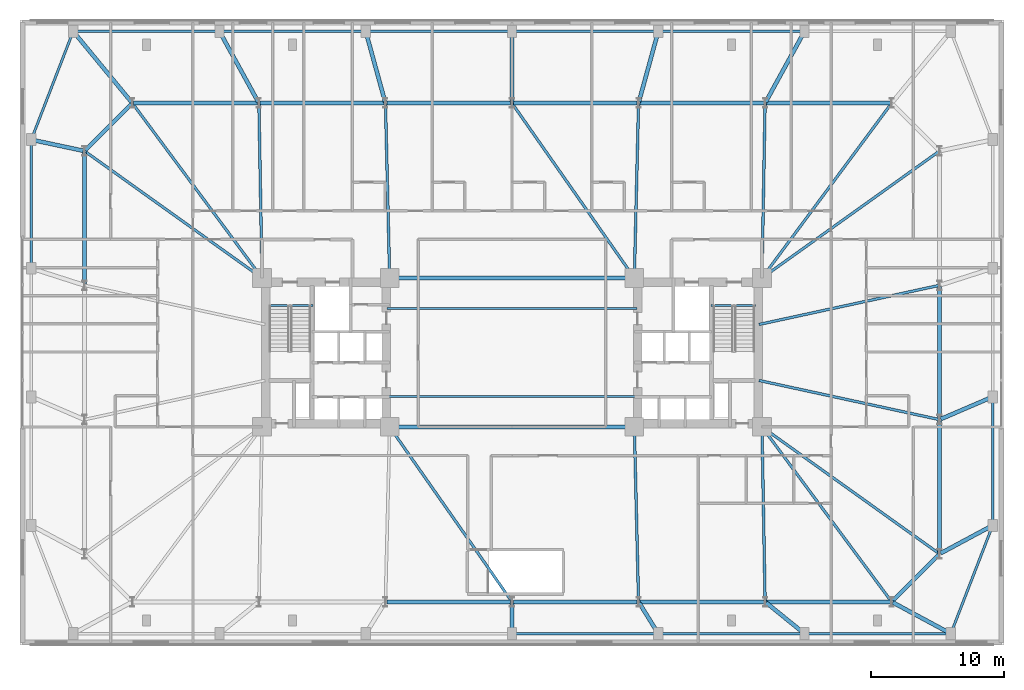
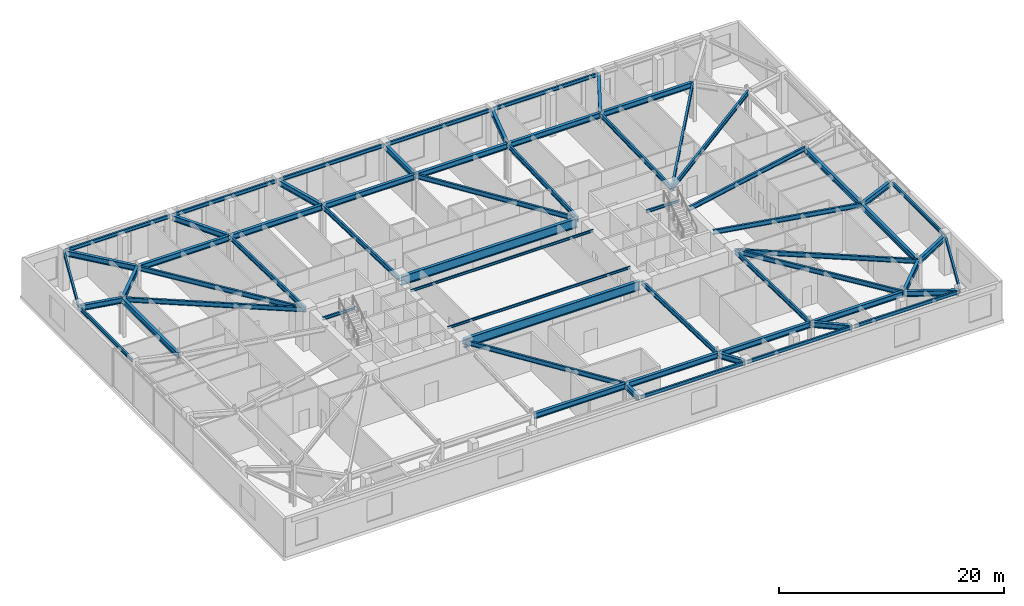
# One storey, part 8 of 21: 62 beams.
"""IFC4 building model written with IfcOpenShell, lengths in metres."""

from ifc_helpers import new_model, si_unit, direction, frame, origin, origin_2d, place, context, subcontext, project, spatial, i_section, extrude, material, material_profile, profile_set, type_object, element, save


model = new_model("IFC4")

# Units and contexts
model_context = context("Model", 3, precision=1e-05, world=origin(), true_north=direction((0.0, 1.0)))
body_context = subcontext(model_context, "Body", "Model", "MODEL_VIEW")
ifc_project = project(units=[si_unit("LENGTHUNIT", "METRE"), si_unit("AREAUNIT", "SQUARE_METRE"), si_unit("VOLUMEUNIT", "CUBIC_METRE"), si_unit("PLANEANGLEUNIT", "RADIAN"), si_unit("MASSUNIT", "GRAM", prefix="KILO")], contexts=[model_context])

# Site, building, storey
site_placement = place(None, origin())
site = spatial("IfcSite", under=ifc_project, at=site_placement, CompositionType="ELEMENT")
building_placement = place(site_placement, origin())
building = spatial("IfcBuilding", under=site, at=building_placement, Name="Qobustan Lattice House", CompositionType="ELEMENT")
storey_placement = place(building_placement, frame((0.0, 0.0, 22.5)))
storey = spatial("IfcBuildingStorey", under=building, at=storey_placement, Name="L05", CompositionType="ELEMENT", Elevation=22.5)

# Beams
ifc_material_1 = material(Name="Steel S355", Category="steel")
ifc_material_profile_1 = material_profile(ifc_material_1, i_section(OverallWidth=0.199951171875, OverallDepth=0.5, WebThickness=0.01025390625, FlangeThickness=0.01611328125, FilletRadius=0.02099609375, at=origin_2d()), Name="IPE500")
ifc_profile_set_1 = profile_set([ifc_material_profile_1], Name="Steel S355")
beam_type_1 = type_object("IfcBeamType", Name="BM-FLG-IPE500", PredefinedType="USERDEFINED", material=ifc_profile_set_1)
beam_1_placement = place(storey_placement, frame((-0.014404296875, -18.7294921875, 3.909912109375), z_axis=(-0.57325954206, 0.819373844736, 0.0), x_axis=(-0.819373844736, -0.57325954206, 0.0)))
element("IfcBeam", 1, at=beam_1_placement, inside=storey, type_object=beam_type_1, Name="L05 primary floor girder RAD-S4", ObjectType="GIRDER", PredefinedType="USERDEFINED", context=body_context, shape_type="SweptSolid", body=[
    extrude(i_section(OverallWidth=0.199951171875, OverallDepth=0.5, WebThickness=0.01025390625, FlangeThickness=0.01611328125, FilletRadius=0.02099609375, at=origin_2d()), origin(), (0.0, 0.0, 1.0), 15.998779296875),
])
beam_2_placement = place(storey_placement, frame((9.51611328125, -18.72509765625, 3.909912109375), z_axis=(-0.024071445657, 0.999710240772, 0.0), x_axis=(-0.999710240772, -0.024071445657, 0.0)))
element("IfcBeam", 2, at=beam_2_placement, inside=storey, type_object=beam_type_1, Name="L05 primary floor girder RAD-S5", ObjectType="GIRDER", PredefinedType="USERDEFINED", context=body_context, shape_type="SweptSolid", body=[
    extrude(i_section(OverallWidth=0.199951171875, OverallDepth=0.5, WebThickness=0.01025390625, FlangeThickness=0.01611328125, FilletRadius=0.02099609375, at=origin_2d()), origin(), (0.0, 0.0, 1.0), 13.10400390625),
])
beam_3_placement = place(storey_placement, frame((19.032958984375, -18.72509765625, 3.909912109375), z_axis=(-0.017757831607, 0.999842317276, 0.0), x_axis=(-0.999842317276, -0.017757831607, 0.0)))
element("IfcBeam", 3, at=beam_3_placement, inside=storey, type_object=beam_type_1, Name="L05 primary floor girder RAD-S6", ObjectType="GIRDER", PredefinedType="USERDEFINED", context=body_context, shape_type="SweptSolid", body=[
    extrude(i_section(OverallWidth=0.199951171875, OverallDepth=0.5, WebThickness=0.01025390625, FlangeThickness=0.01611328125, FilletRadius=0.02099609375, at=origin_2d()), origin(), (0.0, 0.0, 1.0), 13.10205078125),
])
for number, where, z_axis, x_axis, name in (
    (4, (28.53515625, -18.72998046875, 3.909912109375), (-0.5955916815, 0.803287338956, 0.0), (-0.803287338956, -0.5955916815, 0.0), "L05 primary floor girder RAD-S7E"),
    (5, (-28.53515625, 18.72998046875, 3.909912109375), (0.5955916815, -0.803287338956, 0.0), (0.803287338956, 0.5955916815, 0.0), "L05 primary floor girder RAD-N7W"),
):
    element("IfcBeam", number, at=place(storey_placement, frame(where, z_axis=z_axis, x_axis=x_axis)), inside=storey, type_object=beam_type_1, Name=name, ObjectType="GIRDER", PredefinedType="USERDEFINED", context=body_context, shape_type="SweptSolid", body=[
        extrude(i_section(OverallWidth=0.199951171875, OverallDepth=0.5, WebThickness=0.01025390625, FlangeThickness=0.01611328125, FilletRadius=0.02099609375, at=origin_2d()), origin(), (0.0, 0.0, 1.0), 16.3203125),
    ])
beam_4_placement = place(storey_placement, frame((-19.032958984375, 18.72509765625, 3.909912109375), z_axis=(0.017757831607, -0.999842317276, 0.0), x_axis=(0.999842317276, 0.017757831607, 0.0)))
element("IfcBeam", 6, at=beam_4_placement, inside=storey, type_object=beam_type_1, Name="L05 primary floor girder RAD-N6", ObjectType="GIRDER", PredefinedType="USERDEFINED", context=body_context, shape_type="SweptSolid", body=[
    extrude(i_section(OverallWidth=0.199951171875, OverallDepth=0.5, WebThickness=0.01025390625, FlangeThickness=0.01611328125, FilletRadius=0.02099609375, at=origin_2d()), origin(), (0.0, 0.0, 1.0), 13.10205078125),
])
beam_5_placement = place(storey_placement, frame((-9.51611328125, 18.72509765625, 3.909912109375), z_axis=(0.024071445657, -0.999710240772, 0.0), x_axis=(0.999710240772, 0.024071445657, 0.0)))
element("IfcBeam", 7, at=beam_5_placement, inside=storey, type_object=beam_type_1, Name="L05 primary floor girder RAD-N5", ObjectType="GIRDER", PredefinedType="USERDEFINED", context=body_context, shape_type="SweptSolid", body=[
    extrude(i_section(OverallWidth=0.199951171875, OverallDepth=0.5, WebThickness=0.01025390625, FlangeThickness=0.01611328125, FilletRadius=0.02099609375, at=origin_2d()), origin(), (0.0, 0.0, 1.0), 13.10400390625),
])
beam_6_placement = place(storey_placement, frame((0.014404296875, 18.7294921875, 3.909912109375), z_axis=(0.57325954206, -0.819373844736, 0.0), x_axis=(0.819373844736, 0.57325954206, 0.0)))
element("IfcBeam", 8, at=beam_6_placement, inside=storey, type_object=beam_type_1, Name="L05 primary floor girder RAD-N4", ObjectType="GIRDER", PredefinedType="USERDEFINED", context=body_context, shape_type="SweptSolid", body=[
    extrude(i_section(OverallWidth=0.199951171875, OverallDepth=0.5, WebThickness=0.01025390625, FlangeThickness=0.01611328125, FilletRadius=0.02099609375, at=origin_2d()), origin(), (0.0, 0.0, 1.0), 15.998779296875),
])
beam_7_placement = place(storey_placement, frame((9.51611328125, 18.72509765625, 3.909912109375), z_axis=(-0.024071445657, -0.999710240772, 0.0), x_axis=(0.999710240772, -0.024071445657, 0.0)))
element("IfcBeam", 9, at=beam_7_placement, inside=storey, type_object=beam_type_1, Name="L05 primary floor girder RAD-N3", ObjectType="GIRDER", PredefinedType="USERDEFINED", context=body_context, shape_type="SweptSolid", body=[
    extrude(i_section(OverallWidth=0.199951171875, OverallDepth=0.5, WebThickness=0.01025390625, FlangeThickness=0.01611328125, FilletRadius=0.02099609375, at=origin_2d()), origin(), (0.0, 0.0, 1.0), 13.10400390625),
])
beam_8_placement = place(storey_placement, frame((19.032958984375, 18.72509765625, 3.909912109375), z_axis=(-0.017757831607, -0.999842317276, 0.0), x_axis=(0.999842317276, -0.017757831607, 0.0)))
element("IfcBeam", 10, at=beam_8_placement, inside=storey, type_object=beam_type_1, Name="L05 primary floor girder RAD-N2", ObjectType="GIRDER", PredefinedType="USERDEFINED", context=body_context, shape_type="SweptSolid", body=[
    extrude(i_section(OverallWidth=0.199951171875, OverallDepth=0.5, WebThickness=0.01025390625, FlangeThickness=0.01611328125, FilletRadius=0.02099609375, at=origin_2d()), origin(), (0.0, 0.0, 1.0), 13.10205078125),
])
beam_9_placement = place(storey_placement, frame((28.53515625, 18.72998046875, 3.909912109375), z_axis=(-0.5955916815, -0.803287338956, 0.0), x_axis=(0.803287338956, -0.5955916815, 0.0)))
element("IfcBeam", 11, at=beam_9_placement, inside=storey, type_object=beam_type_1, Name="L05 primary floor girder RAD-N1E", ObjectType="GIRDER", PredefinedType="USERDEFINED", context=body_context, shape_type="SweptSolid", body=[
    extrude(i_section(OverallWidth=0.199951171875, OverallDepth=0.5, WebThickness=0.01025390625, FlangeThickness=0.01611328125, FilletRadius=0.02099609375, at=origin_2d()), origin(), (0.0, 0.0, 1.0), 16.3203125),
])
for number, where, z_axis, x_axis, name in (
    (12, (-32.129638671875, 15.135498046875, 3.909912109375), (0.813318954893, -0.581818079481, 0.0), (0.581818079481, 0.813318954893, 0.0), "L05 primary floor girder RAD-W1"),
    (13, (32.129638671875, 15.135498046875, 3.909912109375), (-0.813318954893, -0.581818079481, 0.0), (0.581818079481, -0.813318954893, 0.0), "L05 primary floor girder RAD-E4"),
):
    element("IfcBeam", number, at=place(storey_placement, frame(where, z_axis=z_axis, x_axis=x_axis)), inside=storey, type_object=beam_type_1, Name=name, ObjectType="GIRDER", PredefinedType="USERDEFINED", context=body_context, shape_type="SweptSolid", body=[
        extrude(i_section(OverallWidth=0.199951171875, OverallDepth=0.5, WebThickness=0.01025390625, FlangeThickness=0.01611328125, FilletRadius=0.02099609375, at=origin_2d()), origin(), (0.0, 0.0, 1.0), 16.3642578125),
    ])
for number, where, z_axis, x_axis, name in (
    (14, (32.12548828125, 5.044677734375, 3.909912109375), (-0.97727240275, -0.211987383643, 0.0), (0.211987383643, -0.97727240275, 0.0), "L05 primary floor girder RAD-E3"),
    (15, (32.12548828125, -5.044677734375, 3.909912109375), (-0.97727240275, 0.211987383643, 0.0), (-0.211987383643, -0.97727240275, 0.0), "L05 primary floor girder RAD-E2"),
):
    element("IfcBeam", number, at=place(storey_placement, frame(where, z_axis=z_axis, x_axis=x_axis)), inside=storey, type_object=beam_type_1, Name=name, ObjectType="GIRDER", PredefinedType="USERDEFINED", context=body_context, shape_type="SweptSolid", body=[
        extrude(i_section(OverallWidth=0.199951171875, OverallDepth=0.5, WebThickness=0.01025390625, FlangeThickness=0.01611328125, FilletRadius=0.02099609375, at=origin_2d()), origin(), (0.0, 0.0, 1.0), 13.8662109375),
    ])
beam_10_placement = place(storey_placement, frame((32.129638671875, -15.135498046875, 3.909912109375), z_axis=(-0.813318954893, 0.581818079481, 0.0), x_axis=(-0.581818079481, -0.813318954893, 0.0)))
element("IfcBeam", 16, at=beam_10_placement, inside=storey, type_object=beam_type_1, Name="L05 primary floor girder RAD-E1", ObjectType="GIRDER", PredefinedType="USERDEFINED", context=body_context, shape_type="SweptSolid", body=[
    extrude(i_section(OverallWidth=0.199951171875, OverallDepth=0.5, WebThickness=0.01025390625, FlangeThickness=0.01611328125, FilletRadius=0.02099609375, at=origin_2d()), origin(), (0.0, 0.0, 1.0), 16.3642578125),
])
ifc_material_2 = material(Name="Steel S355", Category="steel")
ifc_material_profile_2 = material_profile(ifc_material_2, i_section(OverallWidth=0.135009765625, OverallDepth=0.27001953125, WebThickness=0.006591796875, FlangeThickness=0.01025390625, FilletRadius=0.014892578125, at=origin_2d()), Name="IPE270")
ifc_profile_set_2 = profile_set([ifc_material_profile_2], Name="Steel S355")
beam_type_2 = type_object("IfcBeamType", Name="BM-JST-IPE270", PredefinedType="JOIST", material=ifc_profile_set_2)
for number, where, z_axis, x_axis, name in (
    (17, (-9.39990234375, -3.300048828125, 4.02490234375), (1.0, 0.0, 0.0), (0.0, 1.0, 0.0), "L05 central span floor joist 1"),
    (18, (-9.39990234375, 3.300048828125, 4.02490234375), (1.0, 0.0, 0.0), (0.0, 1.0, 0.0), "L05 central span floor joist 2"),
):
    element("IfcBeam", number, at=place(storey_placement, frame(where, z_axis=z_axis, x_axis=x_axis)), inside=storey, type_object=beam_type_2, Name=name, PredefinedType="JOIST", context=body_context, shape_type="SweptSolid", body=[
        extrude(i_section(OverallWidth=0.135009765625, OverallDepth=0.27001953125, WebThickness=0.006591796875, FlangeThickness=0.01025390625, FilletRadius=0.014892578125, at=origin_2d()), origin(), (0.0, 0.0, 1.0), 18.7998046875),
    ])
ifc_material_3 = material(Name="Steel S355", Category="steel")
ifc_material_profile_3 = material_profile(ifc_material_3, i_section(OverallWidth=0.300048828125, OverallDepth=0.60009765625, WebThickness=0.015380859375, FlangeThickness=0.030029296875, FilletRadius=0.027099609375, at=origin_2d()), Name="HEB600")
ifc_profile_set_3 = profile_set([ifc_material_profile_3], Name="Steel S355")
beam_type_3 = type_object("IfcBeamType", Name="BM-POD-HEB600", PredefinedType="USERDEFINED", material=ifc_profile_set_3)
for number, where, z_axis, x_axis, name in (
    (19, (-9.416748046875, -18.75, 3.860107421875), (1.0, 0.0, 0.0), (0.0, 1.0, 0.0), "L05 tower base ring girder S3-S4"),
    (20, (0.10009765625, -18.75, 3.860107421875), (1.0, 0.0, 0.0), (0.0, 1.0, 0.0), "L05 tower base ring girder S4-S5"),
    (21, (9.61669921875, -18.75, 3.860107421875), (1.0, 0.0, 0.0), (0.0, 1.0, 0.0), "L05 tower base ring girder S5-S6"),
    (22, (19.13330078125, -18.75, 3.860107421875), (1.0, 0.0, 0.0), (0.0, 1.0, 0.0), "L05 tower base ring girder S6-S7"),
):
    element("IfcBeam", number, at=place(storey_placement, frame(where, z_axis=z_axis, x_axis=x_axis)), inside=storey, type_object=beam_type_3, Name=name, ObjectType="GIRDER", PredefinedType="USERDEFINED", context=body_context, shape_type="SweptSolid", body=[
        extrude(i_section(OverallWidth=0.300048828125, OverallDepth=0.60009765625, WebThickness=0.015380859375, FlangeThickness=0.030029296875, FilletRadius=0.027099609375, at=origin_2d()), origin(), (0.0, 0.0, 1.0), 9.316650390625),
    ])
beam_11_placement = place(storey_placement, frame((28.62060546875, -18.67919921875, 3.860107421875), z_axis=(0.70713173775, 0.707081823743, 0.0), x_axis=(-0.707081823743, 0.70713173775, 0.0)))
element("IfcBeam", 23, at=beam_11_placement, inside=storey, type_object=beam_type_3, Name="L05 tower base ring girder S7-E1", ObjectType="GIRDER", PredefinedType="USERDEFINED", context=body_context, shape_type="SweptSolid", body=[
    extrude(i_section(OverallWidth=0.300048828125, OverallDepth=0.60009765625, WebThickness=0.015380859375, FlangeThickness=0.030029296875, FilletRadius=0.027099609375, at=origin_2d()), origin(), (0.0, 0.0, 1.0), 4.89111328125),
])
beam_12_placement = place(storey_placement, frame((32.14990234375, -15.050048828125, 3.860107421875), z_axis=(0.0, 1.0, 0.0), x_axis=(-1.0, 0.0, 0.0)))
element("IfcBeam", 24, at=beam_12_placement, inside=storey, type_object=beam_type_3, Name="L05 tower base ring girder E1-E2", ObjectType="GIRDER", PredefinedType="USERDEFINED", context=body_context, shape_type="SweptSolid", body=[
    extrude(i_section(OverallWidth=0.300048828125, OverallDepth=0.60009765625, WebThickness=0.015380859375, FlangeThickness=0.030029296875, FilletRadius=0.027099609375, at=origin_2d()), origin(), (0.0, 0.0, 1.0), 9.900146484375),
])
beam_13_placement = place(storey_placement, frame((32.14990234375, -4.949951171875, 3.860107421875), z_axis=(0.0, 1.0, 0.0), x_axis=(-1.0, 0.0, 0.0)))
element("IfcBeam", 25, at=beam_13_placement, inside=storey, type_object=beam_type_3, Name="L05 tower base ring girder E2-E3", ObjectType="GIRDER", PredefinedType="USERDEFINED", context=body_context, shape_type="SweptSolid", body=[
    extrude(i_section(OverallWidth=0.300048828125, OverallDepth=0.60009765625, WebThickness=0.015380859375, FlangeThickness=0.030029296875, FilletRadius=0.027099609375, at=origin_2d()), origin(), (0.0, 0.0, 1.0), 9.89990234375),
])
for number, where, z_axis, x_axis, name in (
    (26, (28.449951171875, 18.75, 3.860107421875), (-1.0, 0.0, 0.0), (0.0, -1.0, 0.0), "L05 tower base ring girder N1-N2"),
    (27, (18.933349609375, 18.75, 3.860107421875), (-1.0, 0.0, 0.0), (0.0, -1.0, 0.0), "L05 tower base ring girder N2-N3"),
    (28, (9.416748046875, 18.75, 3.860107421875), (-1.0, 0.0, 0.0), (0.0, -1.0, 0.0), "L05 tower base ring girder N3-N4"),
    (29, (-0.10009765625, 18.75, 3.860107421875), (-1.0, 0.0, 0.0), (0.0, -1.0, 0.0), "L05 tower base ring girder N4-N5"),
    (30, (-9.61669921875, 18.75, 3.860107421875), (-1.0, 0.0, 0.0), (0.0, -1.0, 0.0), "L05 tower base ring girder N5-N6"),
    (31, (-19.13330078125, 18.75, 3.860107421875), (-1.0, 0.0, 0.0), (0.0, -1.0, 0.0), "L05 tower base ring girder N6-N7"),
):
    element("IfcBeam", number, at=place(storey_placement, frame(where, z_axis=z_axis, x_axis=x_axis)), inside=storey, type_object=beam_type_3, Name=name, ObjectType="GIRDER", PredefinedType="USERDEFINED", context=body_context, shape_type="SweptSolid", body=[
        extrude(i_section(OverallWidth=0.300048828125, OverallDepth=0.60009765625, WebThickness=0.015380859375, FlangeThickness=0.030029296875, FilletRadius=0.027099609375, at=origin_2d()), origin(), (0.0, 0.0, 1.0), 9.316650390625),
    ])
beam_14_placement = place(storey_placement, frame((-28.62060546875, 18.67919921875, 3.860107421875), z_axis=(-0.70713173775, -0.707081823743, 0.0), x_axis=(0.707081823743, -0.70713173775, 0.0)))
element("IfcBeam", 32, at=beam_14_placement, inside=storey, type_object=beam_type_3, Name="L05 tower base ring girder N7-W1", ObjectType="GIRDER", PredefinedType="USERDEFINED", context=body_context, shape_type="SweptSolid", body=[
    extrude(i_section(OverallWidth=0.300048828125, OverallDepth=0.60009765625, WebThickness=0.015380859375, FlangeThickness=0.030029296875, FilletRadius=0.027099609375, at=origin_2d()), origin(), (0.0, 0.0, 1.0), 4.89111328125),
])
beam_15_placement = place(storey_placement, frame((-32.14990234375, 15.050048828125, 3.860107421875), z_axis=(0.0, -1.0, 0.0), x_axis=(1.0, 0.0, 0.0)))
element("IfcBeam", 33, at=beam_15_placement, inside=storey, type_object=beam_type_3, Name="L05 tower base ring girder W1-W2", ObjectType="GIRDER", PredefinedType="USERDEFINED", context=body_context, shape_type="SweptSolid", body=[
    extrude(i_section(OverallWidth=0.300048828125, OverallDepth=0.60009765625, WebThickness=0.015380859375, FlangeThickness=0.030029296875, FilletRadius=0.027099609375, at=origin_2d()), origin(), (0.0, 0.0, 1.0), 9.900146484375),
])
beam_16_placement = place(storey_placement, frame((-32.923583984375, 24.057373046875, 3.860107421875), z_axis=(0.635954703728, -0.771726385973, 0.0), x_axis=(0.771726385973, 0.635954703728, 0.0)))
element("IfcBeam", 34, at=beam_16_placement, inside=storey, type_object=beam_type_3, Name="L05 podium radial girder PN1", ObjectType="GIRDER", PredefinedType="USERDEFINED", context=body_context, shape_type="SweptSolid", body=[
    extrude(i_section(OverallWidth=0.300048828125, OverallDepth=0.60009765625, WebThickness=0.015380859375, FlangeThickness=0.030029296875, FilletRadius=0.027099609375, at=origin_2d()), origin(), (0.0, 0.0, 1.0), 6.77734375),
])
beam_17_placement = place(storey_placement, frame((-21.942138671875, 24.044921875, 3.860107421875), z_axis=(0.481478583255, -0.876457856298, 0.0), x_axis=(0.876457856298, 0.481478583255, 0.0)))
element("IfcBeam", 35, at=beam_17_placement, inside=storey, type_object=beam_type_3, Name="L05 podium radial girder PN2", ObjectType="GIRDER", PredefinedType="USERDEFINED", context=body_context, shape_type="SweptSolid", body=[
    extrude(i_section(OverallWidth=0.300048828125, OverallDepth=0.60009765625, WebThickness=0.015380859375, FlangeThickness=0.030029296875, FilletRadius=0.027099609375, at=origin_2d()), origin(), (0.0, 0.0, 1.0), 5.941162109375),
])
beam_18_placement = place(storey_placement, frame((-10.96826171875, 24.0341796875, 3.860107421875), z_axis=(0.264883295611, -0.964280477717, 0.0), x_axis=(0.964280477717, 0.264883295611, 0.0)))
element("IfcBeam", 36, at=beam_18_placement, inside=storey, type_object=beam_type_3, Name="L05 podium radial girder PN3", ObjectType="GIRDER", PredefinedType="USERDEFINED", context=body_context, shape_type="SweptSolid", body=[
    extrude(i_section(OverallWidth=0.300048828125, OverallDepth=0.60009765625, WebThickness=0.015380859375, FlangeThickness=0.030029296875, FilletRadius=0.027099609375, at=origin_2d()), origin(), (0.0, 0.0, 1.0), 5.3798828125),
])
beam_19_placement = place(storey_placement, frame((0.0, -21.030029296875, 3.860107421875), z_axis=(0.0, 1.0, 0.0), x_axis=(-1.0, 0.0, 0.0)))
element("IfcBeam", 37, at=beam_19_placement, inside=storey, type_object=beam_type_3, Name="L05 podium radial girder PS4", ObjectType="GIRDER", PredefinedType="USERDEFINED", context=body_context, shape_type="SweptSolid", body=[
    extrude(i_section(OverallWidth=0.300048828125, OverallDepth=0.60009765625, WebThickness=0.015380859375, FlangeThickness=0.030029296875, FilletRadius=0.027099609375, at=origin_2d()), origin(), (0.0, 0.0, 1.0), 2.179931640625),
])
beam_20_placement = place(storey_placement, frame((0.0, 24.030029296875, 3.860107421875), z_axis=(0.0, -1.0, 0.0), x_axis=(1.0, 0.0, 0.0)))
element("IfcBeam", 38, at=beam_20_placement, inside=storey, type_object=beam_type_3, Name="L05 podium radial girder PN4", ObjectType="GIRDER", PredefinedType="USERDEFINED", context=body_context, shape_type="SweptSolid", body=[
    extrude(i_section(OverallWidth=0.300048828125, OverallDepth=0.60009765625, WebThickness=0.015380859375, FlangeThickness=0.030029296875, FilletRadius=0.027099609375, at=origin_2d()), origin(), (0.0, 0.0, 1.0), 5.179931640625),
])
beam_21_placement = place(storey_placement, frame((10.93701171875, -21.0478515625, 3.860107421875), z_axis=(-0.525782588011, 0.850618992349, 0.0), x_axis=(-0.850618992349, -0.525782588011, 0.0)))
element("IfcBeam", 39, at=beam_21_placement, inside=storey, type_object=beam_type_3, Name="L05 podium radial girder PS5", ObjectType="GIRDER", PredefinedType="USERDEFINED", context=body_context, shape_type="SweptSolid", body=[
    extrude(i_section(OverallWidth=0.300048828125, OverallDepth=0.60009765625, WebThickness=0.015380859375, FlangeThickness=0.030029296875, FilletRadius=0.027099609375, at=origin_2d()), origin(), (0.0, 0.0, 1.0), 2.601318359375),
])
beam_22_placement = place(storey_placement, frame((10.96826171875, 24.0341796875, 3.860107421875), z_axis=(-0.264883295611, -0.964280477717, 0.0), x_axis=(0.964280477717, -0.264883295611, 0.0)))
element("IfcBeam", 40, at=beam_22_placement, inside=storey, type_object=beam_type_3, Name="L05 podium radial girder PN5", ObjectType="GIRDER", PredefinedType="USERDEFINED", context=body_context, shape_type="SweptSolid", body=[
    extrude(i_section(OverallWidth=0.300048828125, OverallDepth=0.60009765625, WebThickness=0.015380859375, FlangeThickness=0.030029296875, FilletRadius=0.027099609375, at=origin_2d()), origin(), (0.0, 0.0, 1.0), 5.3798828125),
])
beam_23_placement = place(storey_placement, frame((21.90673828125, -21.074462890625, 3.860107421875), z_axis=(-0.777472502595, 0.62891693228, 0.0), x_axis=(-0.62891693228, -0.777472502595, 0.0)))
element("IfcBeam", 41, at=beam_23_placement, inside=storey, type_object=beam_type_3, Name="L05 podium radial girder PS6", ObjectType="GIRDER", PredefinedType="USERDEFINED", context=body_context, shape_type="SweptSolid", body=[
    extrude(i_section(OverallWidth=0.300048828125, OverallDepth=0.60009765625, WebThickness=0.015380859375, FlangeThickness=0.030029296875, FilletRadius=0.027099609375, at=origin_2d()), origin(), (0.0, 0.0, 1.0), 3.595703125),
])
beam_24_placement = place(storey_placement, frame((21.942138671875, 24.044921875, 3.860107421875), z_axis=(-0.481478583255, -0.876457856298, 0.0), x_axis=(0.876457856298, -0.481478583255, 0.0)))
element("IfcBeam", 42, at=beam_24_placement, inside=storey, type_object=beam_type_3, Name="L05 podium radial girder PN6", ObjectType="GIRDER", PredefinedType="USERDEFINED", context=body_context, shape_type="SweptSolid", body=[
    extrude(i_section(OverallWidth=0.300048828125, OverallDepth=0.60009765625, WebThickness=0.015380859375, FlangeThickness=0.030029296875, FilletRadius=0.027099609375, at=origin_2d()), origin(), (0.0, 0.0, 1.0), 5.941162109375),
])
beam_25_placement = place(storey_placement, frame((32.894287109375, -21.093017578125, 3.860107421875), z_axis=(-0.88016615165, 0.474665719732, 0.0), x_axis=(-0.474665719732, -0.88016615165, 0.0)))
element("IfcBeam", 43, at=beam_25_placement, inside=storey, type_object=beam_type_3, Name="L05 podium radial girder PS7", ObjectType="GIRDER", PredefinedType="USERDEFINED", context=body_context, shape_type="SweptSolid", body=[
    extrude(i_section(OverallWidth=0.300048828125, OverallDepth=0.60009765625, WebThickness=0.015380859375, FlangeThickness=0.030029296875, FilletRadius=0.027099609375, at=origin_2d()), origin(), (0.0, 0.0, 1.0), 4.8359375),
])
beam_26_placement = place(storey_placement, frame((36.044189453125, -13.056884765625, 3.860107421875), z_axis=(-0.880815561441, -0.473459551307, 0.0), x_axis=(0.473459551307, -0.880815561441, 0.0)))
element("IfcBeam", 44, at=beam_26_placement, inside=storey, type_object=beam_type_3, Name="L05 podium radial girder PE1", ObjectType="GIRDER", PredefinedType="USERDEFINED", context=body_context, shape_type="SweptSolid", body=[
    extrude(i_section(OverallWidth=0.300048828125, OverallDepth=0.60009765625, WebThickness=0.015380859375, FlangeThickness=0.030029296875, FilletRadius=0.027099609375, at=origin_2d()), origin(), (0.0, 0.0, 1.0), 4.3212890625),
])
beam_27_placement = place(storey_placement, frame((36.039794921875, -3.380615234375, 3.860107421875), z_axis=(-0.918949362679, -0.394375542893, 0.0), x_axis=(0.394375542893, -0.918949362679, 0.0)))
element("IfcBeam", 45, at=beam_27_placement, inside=storey, type_object=beam_type_3, Name="L05 podium radial girder PE2", ObjectType="GIRDER", PredefinedType="USERDEFINED", context=body_context, shape_type="SweptSolid", body=[
    extrude(i_section(OverallWidth=0.300048828125, OverallDepth=0.60009765625, WebThickness=0.015380859375, FlangeThickness=0.030029296875, FilletRadius=0.027099609375, at=origin_2d()), origin(), (0.0, 0.0, 1.0), 4.1328125),
])
beam_28_placement = place(storey_placement, frame((-36.03271484375, 15.97509765625, 3.860107421875), z_axis=(0.978163821655, -0.207835362738, 0.0), x_axis=(0.207835362738, 0.978163821655, 0.0)))
element("IfcBeam", 46, at=beam_28_placement, inside=storey, type_object=beam_type_3, Name="L05 podium radial girder PW4", ObjectType="GIRDER", PredefinedType="USERDEFINED", context=body_context, shape_type="SweptSolid", body=[
    extrude(i_section(OverallWidth=0.300048828125, OverallDepth=0.60009765625, WebThickness=0.015380859375, FlangeThickness=0.030029296875, FilletRadius=0.027099609375, at=origin_2d()), origin(), (0.0, 0.0, 1.0), 3.869384765625),
])
ifc_material_4 = material(Name="Steel S355", Category="steel")
ifc_material_profile_4 = material_profile(ifc_material_4, i_section(OverallWidth=0.159912109375, OverallDepth=0.330078125, WebThickness=0.007568359375, FlangeThickness=0.011474609375, FilletRadius=0.01806640625, at=origin_2d()), Name="IPE330")
ifc_profile_set_4 = profile_set([ifc_material_profile_4], Name="Steel S355")
beam_type_4 = type_object("IfcBeamType", Name="BM-SPD-IPE330", PredefinedType="SPANDREL", material=ifc_profile_set_4)
for number, where, z_axis, x_axis, name in (
    (47, (-18.300048828125, 3.52001953125, 3.9951171875), (1.0, 0.0, 0.0), (0.0, 1.0, 0.0), "L05 west stair landing trimmer beam"),
    (48, (14.949951171875, 3.52001953125, 3.9951171875), (1.0, 0.0, 0.0), (0.0, 1.0, 0.0), "L05 east stair landing trimmer beam"),
):
    element("IfcBeam", number, at=place(storey_placement, frame(where, z_axis=z_axis, x_axis=x_axis)), inside=storey, type_object=beam_type_4, Name=name, PredefinedType="SPANDREL", context=body_context, shape_type="SweptSolid", body=[
        extrude(i_section(OverallWidth=0.159912109375, OverallDepth=0.330078125, WebThickness=0.007568359375, FlangeThickness=0.011474609375, FilletRadius=0.01806640625, at=origin_2d()), origin(), (0.0, 0.0, 1.0), 3.35009765625),
    ])
ifc_material_5 = material(Name="Steel S355", Category="steel")
ifc_material_profile_5 = material_profile(ifc_material_5, i_section(OverallWidth=0.179931640625, OverallDepth=0.39990234375, WebThickness=0.008544921875, FlangeThickness=0.013427734375, FilletRadius=0.02099609375, at=origin_2d()), Name="IPE400")
ifc_profile_set_5 = profile_set([ifc_material_profile_5], Name="Steel S355")
beam_type_5 = type_object("IfcBeamType", Name="BM-SPD-IPE400", PredefinedType="SPANDREL", material=ifc_profile_set_5)
for number, where, z_axis, x_axis, name in (
    (49, (0.1201171875, -21.14990234375, 3.9599609375), (1.0, 0.0, 0.0), (0.0, 1.0, 0.0), "L05 podium spandrel PS4-PS5"),
    (50, (11.1201171875, -21.14990234375, 3.9599609375), (1.0, 0.0, 0.0), (0.0, 1.0, 0.0), "L05 podium spandrel PS5-PS6"),
    (51, (22.1201171875, -21.14990234375, 3.9599609375), (1.0, 0.0, 0.0), (0.0, 1.0, 0.0), "L05 podium spandrel PS6-PS7"),
    (52, (-32.8798828125, 24.14990234375, 3.9599609375), (1.0, 0.0, 0.0), (0.0, 1.0, 0.0), "L05 podium spandrel PN1-PN2"),
    (53, (-21.8798828125, 24.14990234375, 3.9599609375), (1.0, 0.0, 0.0), (0.0, 1.0, 0.0), "L05 podium spandrel PN2-PN3"),
    (54, (-10.8798828125, 24.14990234375, 3.9599609375), (1.0, 0.0, 0.0), (0.0, 1.0, 0.0), "L05 podium spandrel PN3-PN4"),
    (55, (0.1201171875, 24.14990234375, 3.9599609375), (1.0, 0.0, 0.0), (0.0, 1.0, 0.0), "L05 podium spandrel PN4-PN5"),
    (56, (11.1201171875, 24.14990234375, 3.9599609375), (1.0, 0.0, 0.0), (0.0, 1.0, 0.0), "L05 podium spandrel PN5-PN6"),
):
    element("IfcBeam", number, at=place(storey_placement, frame(where, z_axis=z_axis, x_axis=x_axis)), inside=storey, type_object=beam_type_5, Name=name, PredefinedType="SPANDREL", context=body_context, shape_type="SweptSolid", body=[
        extrude(i_section(OverallWidth=0.179931640625, OverallDepth=0.39990234375, WebThickness=0.008544921875, FlangeThickness=0.013427734375, FilletRadius=0.02099609375, at=origin_2d()), origin(), (0.0, 0.0, 1.0), 10.759765625),
    ])
beam_29_placement = place(storey_placement, frame((-36.14990234375, 6.453369140625, 3.9599609375), z_axis=(0.0, 1.0, 0.0), x_axis=(-1.0, 0.0, 0.0)))
element("IfcBeam", 57, at=beam_29_placement, inside=storey, type_object=beam_type_5, Name="L05 podium spandrel PW3-PW4", PredefinedType="SPANDREL", context=body_context, shape_type="SweptSolid", body=[
    extrude(i_section(OverallWidth=0.179931640625, OverallDepth=0.39990234375, WebThickness=0.008544921875, FlangeThickness=0.013427734375, FilletRadius=0.02099609375, at=origin_2d()), origin(), (0.0, 0.0, 1.0), 9.4267578125),
])
beam_30_placement = place(storey_placement, frame((36.14990234375, -12.8798828125, 3.9599609375), z_axis=(0.0, 1.0, 0.0), x_axis=(-1.0, 0.0, 0.0)))
element("IfcBeam", 58, at=beam_30_placement, inside=storey, type_object=beam_type_5, Name="L05 podium spandrel PE1-PE2", PredefinedType="SPANDREL", context=body_context, shape_type="SweptSolid", body=[
    extrude(i_section(OverallWidth=0.179931640625, OverallDepth=0.39990234375, WebThickness=0.008544921875, FlangeThickness=0.013427734375, FilletRadius=0.02099609375, at=origin_2d()), origin(), (0.0, 0.0, 1.0), 9.426513671875),
])
beam_31_placement = place(storey_placement, frame((-36.106689453125, 16.112060546875, 3.9599609375), z_axis=(0.360516886299, 0.932752686779, 0.0), x_axis=(-0.932752686779, 0.360516886299, 0.0)))
element("IfcBeam", 59, at=beam_31_placement, inside=storey, type_object=beam_type_5, Name="L05 podium corner tie PW4-PN1", PredefinedType="SPANDREL", context=body_context, shape_type="SweptSolid", body=[
    extrude(i_section(OverallWidth=0.179931640625, OverallDepth=0.39990234375, WebThickness=0.008544921875, FlangeThickness=0.013427734375, FilletRadius=0.02099609375, at=origin_2d()), origin(), (0.0, 0.0, 1.0), 8.49755859375),
])
beam_32_placement = place(storey_placement, frame((36.106689453125, -13.11181640625, 3.9599609375), z_axis=(-0.360507225068, -0.93275642087, 0.0), x_axis=(0.93275642087, -0.360507225068, 0.0)))
element("IfcBeam", 60, at=beam_32_placement, inside=storey, type_object=beam_type_5, Name="L05 podium corner tie PE1-PS7", PredefinedType="SPANDREL", context=body_context, shape_type="SweptSolid", body=[
    extrude(i_section(OverallWidth=0.179931640625, OverallDepth=0.39990234375, WebThickness=0.008544921875, FlangeThickness=0.013427734375, FilletRadius=0.02099609375, at=origin_2d()), origin(), (0.0, 0.0, 1.0), 8.497802734375),
])
ifc_material_6 = material(Name="Steel S355", Category="steel")
ifc_material_profile_6 = material_profile(ifc_material_6, i_section(OverallWidth=0.302001953125, OverallDepth=1.008056640625, WebThickness=0.02099609375, FlangeThickness=0.0400390625, FilletRadius=0.030029296875, at=origin_2d()), Name="HEM1000")
ifc_profile_set_6 = profile_set([ifc_material_profile_6], Name="Steel S355")
beam_type_6 = type_object("IfcBeamType", Name="BM-TRG-HEM1000", PredefinedType="USERDEFINED", material=ifc_profile_set_6)
for number, where, z_axis, x_axis, name in (
    (61, (-9.050048828125, -5.60009765625, 3.656005859375), (1.0, 0.0, 0.0), (0.0, 1.0, 0.0), "L05 core spine girder CG-CS"),
    (62, (-9.050048828125, 5.60009765625, 3.656005859375), (1.0, 0.0, 0.0), (0.0, 1.0, 0.0), "L05 core spine girder CG-CN"),
):
    element("IfcBeam", number, at=place(storey_placement, frame(where, z_axis=z_axis, x_axis=x_axis)), inside=storey, type_object=beam_type_6, Name=name, ObjectType="GIRDER", PredefinedType="USERDEFINED", context=body_context, shape_type="SweptSolid", body=[
        extrude(i_section(OverallWidth=0.302001953125, OverallDepth=1.008056640625, WebThickness=0.02099609375, FlangeThickness=0.0400390625, FilletRadius=0.030029296875, at=origin_2d()), origin(), (0.0, 0.0, 1.0), 18.10009765625),
    ])

save(model, "model.ifc")
